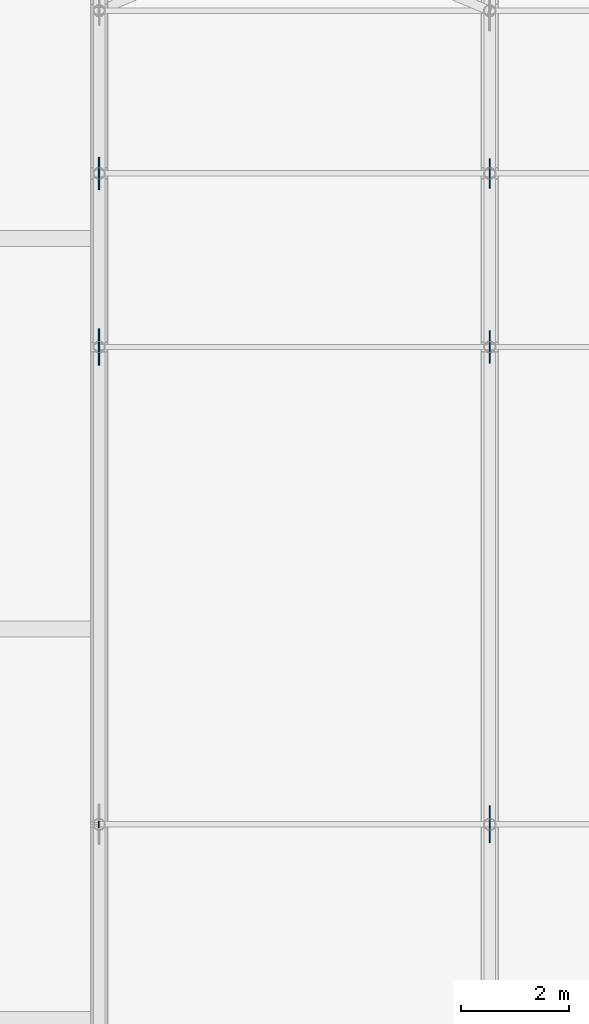
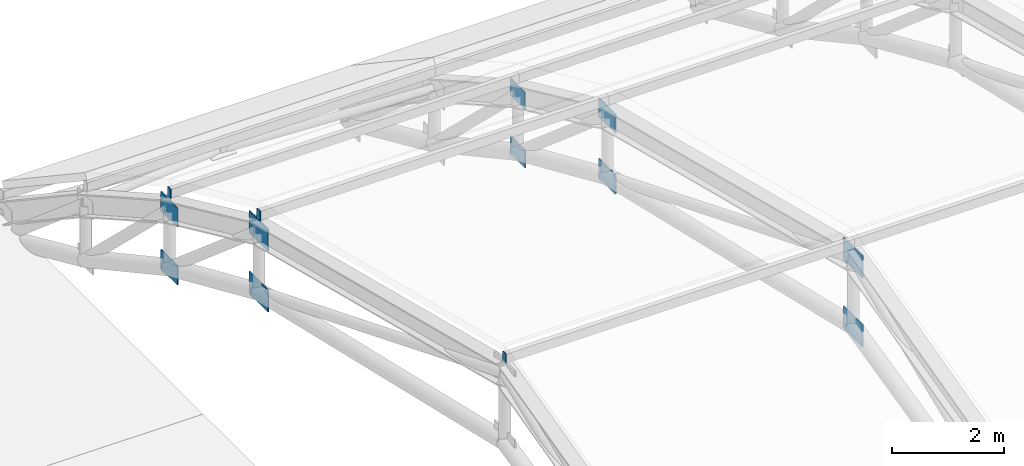
# One storey, part 45 of 63: 13 plates.
"""IFC4 building model written with IfcOpenShell, lengths in metres."""

from ifc_helpers import new_model, si_unit, direction, frame, origin, origin_2d, place, context, subcontext, project, spatial, rectangle, extrude, material, layer, layer_set, type_object, element, save


model = new_model("IFC4")

# Units and contexts
model_context = context("Model", 3, precision=1e-05, world=origin(), true_north=direction((0.0, 1.0)))
body_context = subcontext(model_context, "Body", "Model", "MODEL_VIEW")
ifc_project = project(units=[si_unit("LENGTHUNIT", "METRE"), si_unit("AREAUNIT", "SQUARE_METRE"), si_unit("VOLUMEUNIT", "CUBIC_METRE"), si_unit("PLANEANGLEUNIT", "RADIAN"), si_unit("MASSUNIT", "GRAM", prefix="KILO")], contexts=[model_context])

# Site, building, storey
site_placement = place(None, origin())
site = spatial("IfcSite", under=ifc_project, at=site_placement, CompositionType="ELEMENT")
building_placement = place(site_placement, origin())
building = spatial("IfcBuilding", under=site, at=building_placement, Name="Solvadek Multi-Sports Hall", CompositionType="ELEMENT")
storey_placement = place(building_placement, frame((0.0, 0.0, 19.199951171875)))
storey = spatial("IfcBuildingStorey", under=building, at=storey_placement, Name="RF", CompositionType="ELEMENT", Elevation=19.199951171875)

# Plates
ifc_material = material(Name="Steel E350 (350 MPa)", Category="steel")
ifc_layer_1 = layer(ifc_material, 0.01611328125, Name="Steel E350 (350 MPa)")
ifc_layer_set_1 = layer_set([ifc_layer_1], Name="Steel E350 (350 MPa)")
plate_type_1 = type_object("IfcPlateType", Name="STR-PLT-CAP16", PredefinedType="USERDEFINED", material=ifc_layer_set_1)
for number, where, z_axis, x_axis, name in (
    (1, (86.39599609375, 24.0, 4.076171875), (0.0, 0.0, 1.0), (1.0, 0.0, 0.0), "V1 Purlin End Cap Plate #5"),
    (2, (86.39599609375, 32.800048828125, 1.86083984375), (0.0, 0.0, 1.0), (1.0, 0.0, 0.0), "V1 Purlin End Cap Plate #6"),
    (3, (86.39599609375, 36.0, 0.40234375), (0.0, 0.0, 1.0), (1.0, 0.0, 0.0), "V1 Purlin End Cap Plate #7"),
):
    element("IfcPlate", number, at=place(storey_placement, frame(where, z_axis=z_axis, x_axis=x_axis)), inside=storey, type_object=plate_type_1, Name=name, ObjectType="BASE_PLATE", PredefinedType="USERDEFINED", context=body_context, shape_type="SweptSolid", body=[
        extrude(rectangle(XDim=0.01611328125, YDim=0.1201171875, at=origin_2d()), origin(), (0.0, 0.0, 1.0), 0.219970703125),
    ])
ifc_layer_2 = layer(ifc_material, 0.02197265625, Name="Steel E350 (350 MPa)")
ifc_layer_set_2 = layer_set([ifc_layer_2], Name="Steel E350 (350 MPa)")
plate_type_2 = type_object("IfcPlateType", Name="STR-PLT-GUS540", PredefinedType="USERDEFINED", material=ifc_layer_set_2)
for number, where, z_axis, x_axis, name in (
    (4, (93.60009765625, 36.0, -0.039794921875), (0.0, 0.0, 1.0), (0.0, 1.0, 0.0), "V1 Truss Top Gusset Plate #31"),
    (5, (93.60009765625, 36.0, -1.306640625), (0.0, 0.0, 1.0), (0.0, 1.0, 0.0), "V1 Truss Bottom Gusset Plate #32"),
):
    element("IfcPlate", number, at=place(storey_placement, frame(where, z_axis=z_axis, x_axis=x_axis)), inside=storey, type_object=plate_type_2, Name=name, ObjectType="GUSSET_PLATE", PredefinedType="USERDEFINED", context=body_context, shape_type="SweptSolid", body=[
        extrude(rectangle(XDim=0.5400390625, YDim=0.02197265625, at=origin_2d()), origin(), (0.0, 0.0, 1.0), 0.3798828125),
    ])
ifc_layer_3 = layer(ifc_material, 0.02392578125, Name="Steel E350 (350 MPa)")
ifc_layer_set_3 = layer_set([ifc_layer_3], Name="Steel E350 (350 MPa)")
plate_type_3 = type_object("IfcPlateType", Name="STR-PLT-GUS600", PredefinedType="USERDEFINED", material=ifc_layer_set_3)
for number, where, z_axis, x_axis, name in (
    (6, (86.39990234375, 36.0, -0.059814453125), (0.0, 0.0, 1.0), (0.0, 1.0, 0.0), "V1 Truss Top Gusset Plate #13"),
    (7, (86.39990234375, 36.0, -1.32666015625), (0.0, 0.0, 1.0), (0.0, 1.0, 0.0), "V1 Truss Bottom Gusset Plate #14"),
    (8, (93.60009765625, 32.800048828125, 1.4091796875), (0.0, 0.0, 1.0), (0.0, 1.0, 0.0), "V1 Truss Top Gusset Plate #29"),
    (9, (93.60009765625, 32.800048828125, 0.080078125), (0.0, 0.0, 1.0), (0.0, 1.0, 0.0), "V1 Truss Bottom Gusset Plate #30"),
):
    element("IfcPlate", number, at=place(storey_placement, frame(where, z_axis=z_axis, x_axis=x_axis)), inside=storey, type_object=plate_type_3, Name=name, ObjectType="GUSSET_PLATE", PredefinedType="USERDEFINED", context=body_context, shape_type="SweptSolid", body=[
        extrude(rectangle(XDim=0.60009765625, YDim=0.02392578125, at=origin_2d()), origin(), (0.0, 0.0, 1.0), 0.419921875),
    ])
ifc_layer_4 = layer(ifc_material, 0.02587890625, Name="Steel E350 (350 MPa)")
ifc_layer_set_4 = layer_set([ifc_layer_4], Name="Steel E350 (350 MPa)")
plate_type_4 = type_object("IfcPlateType", Name="STR-PLT-GUS680", PredefinedType="USERDEFINED", material=ifc_layer_set_4)
for number, where, z_axis, x_axis, name in (
    (10, (86.39990234375, 32.800048828125, 1.379150390625), (0.0, 0.0, 1.0), (0.0, 1.0, 0.0), "V1 Truss Top Gusset Plate #11"),
    (11, (86.39990234375, 32.800048828125, 0.050048828125), (0.0, 0.0, 1.0), (0.0, 1.0, 0.0), "V1 Truss Bottom Gusset Plate #12"),
    (12, (93.60009765625, 24.0, 3.610107421875), (0.0, 0.0, 1.0), (0.0, 1.0, 0.0), "V1 Truss Top Gusset Plate #27"),
    (13, (93.60009765625, 24.0, 2.110107421875), (0.0, 0.0, 1.0), (0.0, 1.0, 0.0), "V1 Truss Bottom Gusset Plate #28"),
):
    element("IfcPlate", number, at=place(storey_placement, frame(where, z_axis=z_axis, x_axis=x_axis)), inside=storey, type_object=plate_type_4, Name=name, ObjectType="GUSSET_PLATE", PredefinedType="USERDEFINED", context=body_context, shape_type="SweptSolid", body=[
        extrude(rectangle(XDim=0.679931640625, YDim=0.02587890625, at=origin_2d()), origin(), (0.0, 0.0, 1.0), 0.47998046875),
    ])

save(model, "model.ifc")
